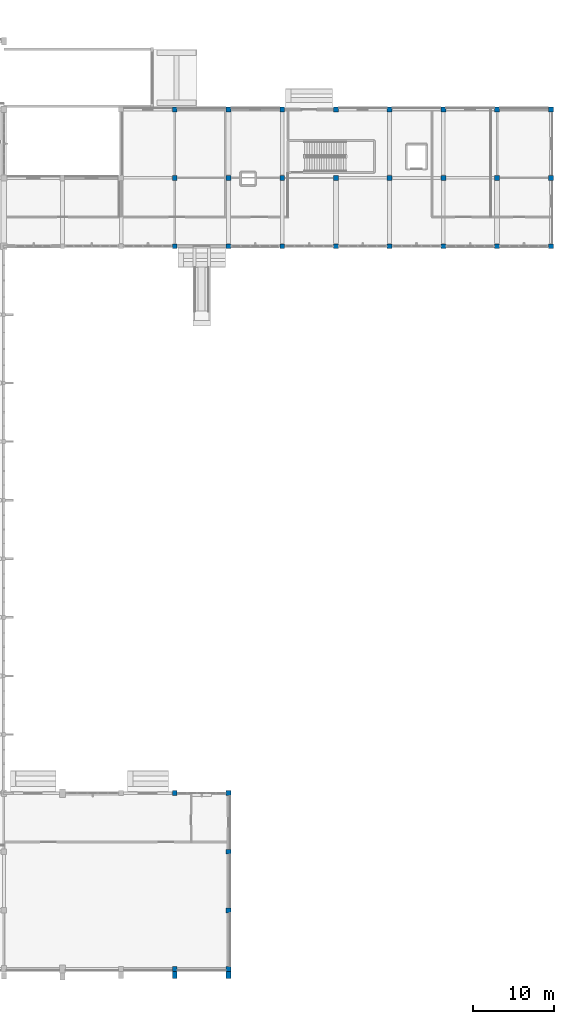
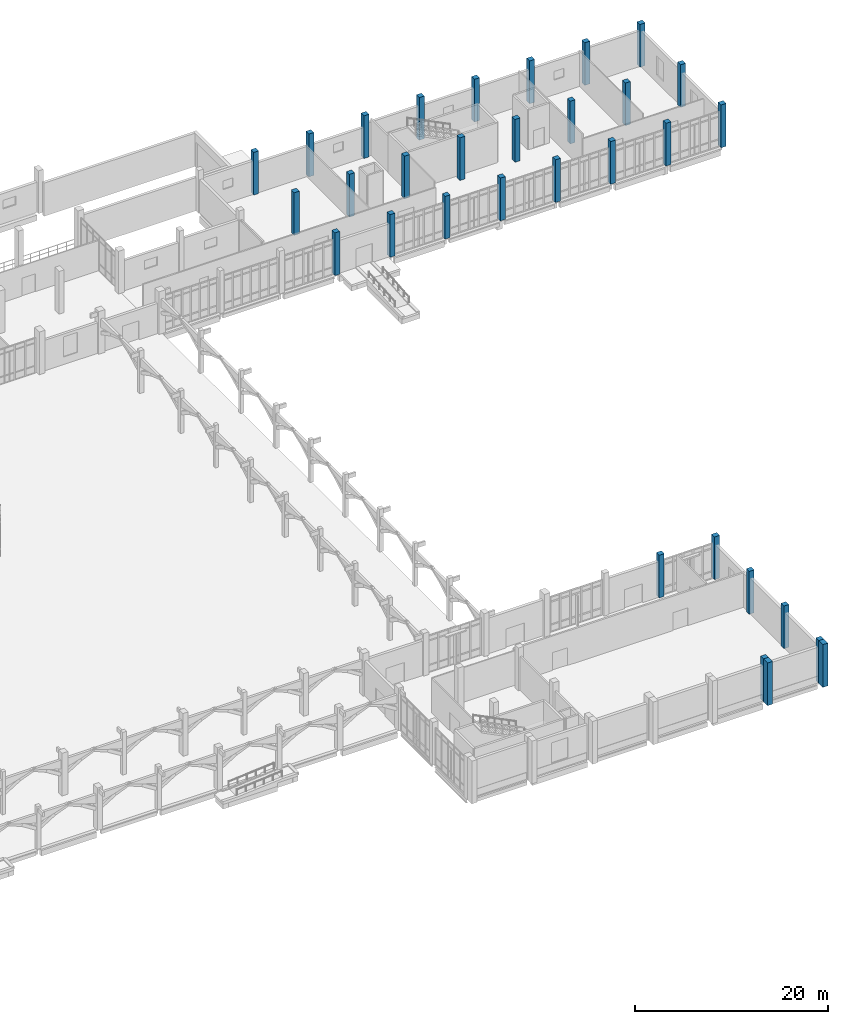
# One storey, part 6 of 110: 32 columns.
"""IFC4 building model written with IfcOpenShell, lengths in metres."""

from ifc_helpers import new_model, si_unit, direction, frame, origin, origin_2d, place, context, subcontext, project, spatial, rectangle, extrude, material, material_profile, profile_set, type_object, element, save


model = new_model("IFC4")

# Units and contexts
model_context = context("Model", 3, precision=1e-05, world=origin(), true_north=direction((0.0, 1.0)))
body_context = subcontext(model_context, "Body", "Model", "MODEL_VIEW")
ifc_project = project(units=[si_unit("LENGTHUNIT", "METRE"), si_unit("AREAUNIT", "SQUARE_METRE"), si_unit("VOLUMEUNIT", "CUBIC_METRE"), si_unit("PLANEANGLEUNIT", "RADIAN"), si_unit("MASSUNIT", "GRAM", prefix="KILO")], contexts=[model_context])

# Site, building, storey
site_placement = place(None, origin())
site = spatial("IfcSite", under=ifc_project, at=site_placement, CompositionType="ELEMENT")
building_placement = place(site_placement, origin())
building = spatial("IfcBuilding", under=site, at=building_placement, Name="Kalluvel Institute of Natural Sciences", CompositionType="ELEMENT")
storey_placement = place(building_placement, origin())
storey = spatial("IfcBuildingStorey", under=building, at=storey_placement, Name="L00", CompositionType="ELEMENT", Elevation=0.0)

# Columns
ifc_material_1 = material(Name="Concrete M40", Category="concrete")
ifc_material_profile_1 = material_profile(ifc_material_1, rectangle(XDim=0.60009765625, YDim=0.60009765625, at=origin_2d()), Name="RC 600x600")
ifc_profile_set_1 = profile_set([ifc_material_profile_1], Name="Concrete M40")
column_type_1 = type_object("IfcColumnType", Name="COL-RC600", PredefinedType="COLUMN", material=ifc_profile_set_1)
for number, where, z_axis, x_axis, name in (
    (1, (135.800048828125, 14.0, 0.0), (0.0, 0.0, 1.0), (1.0, 0.0, 0.0), "L00 structural column COL-L00-X1358-Y140"),
    (2, (135.800048828125, 35.60009765625, 0.0), (0.0, 0.0, 1.0), (1.0, 0.0, 0.0), "L00 structural column COL-L00-X1358-Y356"),
    (3, (135.800048828125, 102.800048828125, 0.0), (0.0, 0.0, 1.0), (1.0, 0.0, 0.0), "L00 structural column COL-L00-X1358-Y1028"),
    (4, (135.800048828125, 111.199951171875, 0.0), (0.0, 0.0, 1.0), (1.0, 0.0, 0.0), "L00 structural column COL-L00-X1358-Y1112"),
    (5, (135.800048828125, 119.60009765625, 0.0), (0.0, 0.0, 1.0), (1.0, 0.0, 0.0), "L00 structural column COL-L00-X1358-Y1196"),
    (6, (142.39990234375, 14.0, 0.0), (0.0, 0.0, 1.0), (1.0, 0.0, 0.0), "L00 structural column COL-L00-X1424-Y140"),
    (7, (142.39990234375, 21.199951171875, 0.0), (0.0, 0.0, 1.0), (1.0, 0.0, 0.0), "L00 structural column COL-L00-X1424-Y212"),
    (8, (142.39990234375, 28.39990234375, 0.0), (0.0, 0.0, 1.0), (1.0, 0.0, 0.0), "L00 structural column COL-L00-X1424-Y284"),
    (9, (142.39990234375, 35.60009765625, 0.0), (0.0, 0.0, 1.0), (1.0, 0.0, 0.0), "L00 structural column COL-L00-X1424-Y356"),
    (10, (142.39990234375, 102.800048828125, 0.0), (0.0, 0.0, 1.0), (1.0, 0.0, 0.0), "L00 structural column COL-L00-X1424-Y1028"),
    (11, (142.39990234375, 111.199951171875, 0.0), (0.0, 0.0, 1.0), (1.0, 0.0, 0.0), "L00 structural column COL-L00-X1424-Y1112"),
    (12, (142.39990234375, 119.60009765625, 0.0), (0.0, 0.0, 1.0), (1.0, 0.0, 0.0), "L00 structural column COL-L00-X1424-Y1196"),
    (13, (149.0, 102.800048828125, 0.0), (0.0, 0.0, 1.0), (1.0, 0.0, 0.0), "L00 structural column COL-L00-X1490-Y1028"),
    (14, (149.0, 111.199951171875, 0.0), (0.0, 0.0, 1.0), (1.0, 0.0, 0.0), "L00 structural column COL-L00-X1490-Y1112"),
    (15, (149.0, 119.60009765625, 0.0), (0.0, 0.0, 1.0), (1.0, 0.0, 0.0), "L00 structural column COL-L00-X1490-Y1196"),
    (16, (155.60009765625, 102.800048828125, 0.0), (0.0, 0.0, 1.0), (1.0, 0.0, 0.0), "L00 structural column COL-L00-X1556-Y1028"),
    (17, (155.60009765625, 111.199951171875, 0.0), (0.0, 0.0, 1.0), (1.0, 0.0, 0.0), "L00 structural column COL-L00-X1556-Y1112"),
    (18, (155.60009765625, 119.60009765625, 0.0), (0.0, 0.0, 1.0), (1.0, 0.0, 0.0), "L00 structural column COL-L00-X1556-Y1196"),
    (19, (162.199951171875, 102.800048828125, 0.0), (0.0, 0.0, 1.0), (1.0, 0.0, 0.0), "L00 structural column COL-L00-X1622-Y1028"),
    (20, (162.199951171875, 111.199951171875, 0.0), (0.0, 0.0, 1.0), (1.0, 0.0, 0.0), "L00 structural column COL-L00-X1622-Y1112"),
    (21, (162.199951171875, 119.60009765625, 0.0), (0.0, 0.0, 1.0), (1.0, 0.0, 0.0), "L00 structural column COL-L00-X1622-Y1196"),
    (22, (168.800048828125, 102.800048828125, 0.0), (0.0, 0.0, 1.0), (1.0, 0.0, 0.0), "L00 structural column COL-L00-X1688-Y1028"),
    (23, (168.800048828125, 111.199951171875, 0.0), (0.0, 0.0, 1.0), (1.0, 0.0, 0.0), "L00 structural column COL-L00-X1688-Y1112"),
    (24, (168.800048828125, 119.60009765625, 0.0), (0.0, 0.0, 1.0), (1.0, 0.0, 0.0), "L00 structural column COL-L00-X1688-Y1196"),
    (25, (175.39990234375, 102.800048828125, 0.0), (0.0, 0.0, 1.0), (1.0, 0.0, 0.0), "L00 structural column COL-L00-X1754-Y1028"),
    (26, (175.39990234375, 111.199951171875, 0.0), (0.0, 0.0, 1.0), (1.0, 0.0, 0.0), "L00 structural column COL-L00-X1754-Y1112"),
    (27, (175.39990234375, 119.60009765625, 0.0), (0.0, 0.0, 1.0), (1.0, 0.0, 0.0), "L00 structural column COL-L00-X1754-Y1196"),
    (28, (182.0, 102.800048828125, 0.0), (0.0, 0.0, 1.0), (1.0, 0.0, 0.0), "L00 structural column COL-L00-X1820-Y1028"),
    (29, (182.0, 111.199951171875, 0.0), (0.0, 0.0, 1.0), (1.0, 0.0, 0.0), "L00 structural column COL-L00-X1820-Y1112"),
    (30, (182.0, 119.60009765625, 0.0), (0.0, 0.0, 1.0), (1.0, 0.0, 0.0), "L00 structural column COL-L00-X1820-Y1196"),
):
    element("IfcColumn", number, at=place(storey_placement, frame(where, z_axis=z_axis, x_axis=x_axis)), inside=storey, type_object=column_type_1, Name=name, PredefinedType="COLUMN", context=body_context, shape_type="SweptSolid", body=[
        extrude(rectangle(XDim=0.60009765625, YDim=0.60009765625, at=origin_2d()), origin(), (0.0, 0.0, 1.0), 5.39990234375),
    ])
ifc_material_2 = material(Name="Sadarahalli Granite Precast Concrete M45", Category="masonry")
ifc_material_profile_2 = material_profile(ifc_material_2, rectangle(XDim=0.60009765625, YDim=0.85009765625, at=origin_2d()), Name="PIL 600x850")
ifc_profile_set_2 = profile_set([ifc_material_profile_2], Name="Sadarahalli Granite Precast Concrete M45")
column_type_2 = type_object("IfcColumnType", Name="PIL-600x850", PredefinedType="PILASTER", material=ifc_profile_set_2)
for number, where, z_axis, x_axis, name in (
    (31, (135.800048828125, 13.27197265625, 0.0), (0.0, 0.0, 1.0), (1.0, 0.0, 0.0), "L00 Lecture and Commons Gothic stone buttress 155"),
    (32, (142.39990234375, 13.27197265625, 0.0), (0.0, 0.0, 1.0), (1.0, 0.0, 0.0), "L00 Lecture and Commons Gothic stone buttress 158"),
):
    element("IfcColumn", number, at=place(storey_placement, frame(where, z_axis=z_axis, x_axis=x_axis)), inside=storey, type_object=column_type_2, Name=name, PredefinedType="PILASTER", context=body_context, shape_type="SweptSolid", body=[
        extrude(rectangle(XDim=0.60009765625, YDim=0.85009765625, at=origin_2d()), origin(), (0.0, 0.0, 1.0), 5.39990234375),
    ])

save(model, "model.ifc")
